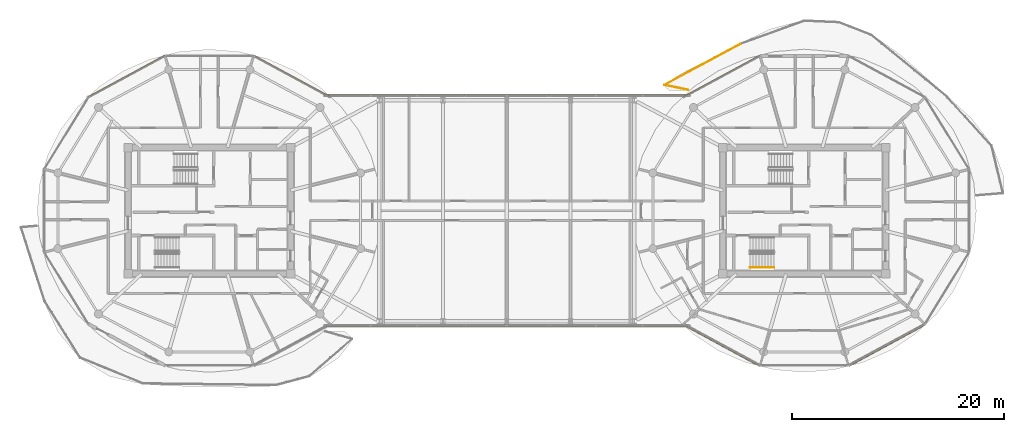
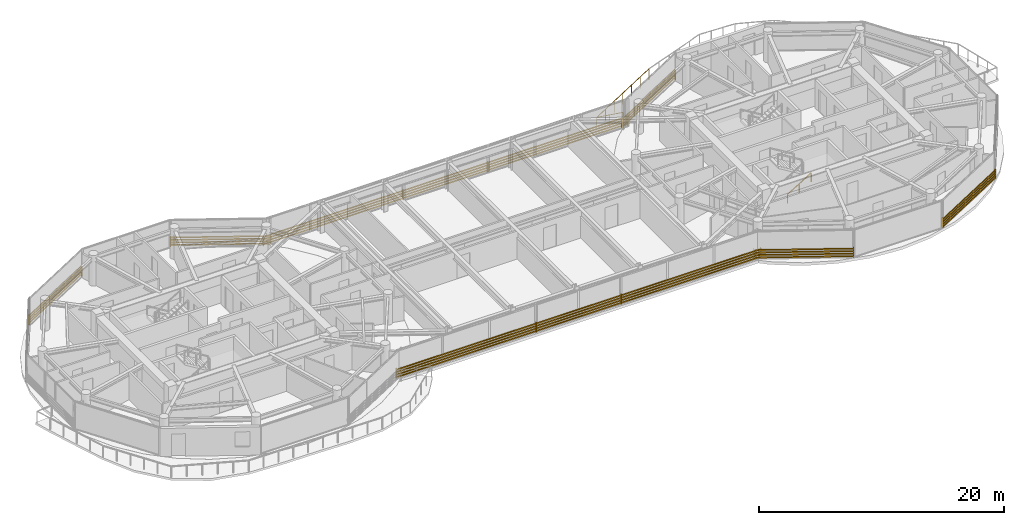
# One storey, part 22 of 23: 11 shading devices, 2 railings.
"""IFC4 building model written with IfcOpenShell, lengths in metres."""

import ifcopenshell
import ifcopenshell.guid

model = None  # the IFC model being written
_history = None  # IfcOwnerHistory: only IFC2X3 demands one
_inside = {}  # id of a spatial element -> (the spatial element, [elements in it])
_under = {}  # id of a project, library or spatial element -> (it, [spatial elements below it])
_declared = {}  # id of a project -> (the project, [libraries it declares])
_typed = {}  # id of a type object -> (the type object, [elements of that type])
_made_of = {}  # id of a material, layer set ... -> (it, [elements and type objects made of it])


def new_model(schema):
    """Start an empty IFC model of exactly this schema.

    Asked for "IFC4X3", IfcOpenShell would pick the latest addendum, in which some entities
    have other attributes; the version numbers below select the first issue.
    IFC2X3 requires an IfcOwnerHistory on every rooted entity: one is made here for all.
    """
    global model, _history
    if schema == "IFC4X3":
        model = ifcopenshell.file(schema_version=(4, 3, 0, 0))
    else:
        model = ifcopenshell.file(schema=schema)
    _inside.clear()
    _under.clear()
    _declared.clear()
    _typed.clear()
    _made_of.clear()
    _history = None
    if model.schema == "IFC2X3":
        org = make("IfcOrganization", Name="unknown")
        user = make(
            "IfcPersonAndOrganization",
            ThePerson=make("IfcPerson", FamilyName="unknown"),
            TheOrganization=org,
        )
        app = make(
            "IfcApplication",
            ApplicationDeveloper=org,
            Version="unknown",
            ApplicationFullName="unknown",
            ApplicationIdentifier="unknown",
        )
        _history = make(
            "IfcOwnerHistory",
            OwningUser=user,
            OwningApplication=app,
            ChangeAction="ADDED",
            CreationDate=0,
        )
    return model


def make(cls, **values):
    """One entity of the class cls with the attributes given. An attribute that is None is left unset."""
    return model.create_entity(
        cls, **{name: value for name, value in values.items() if value is not None}
    )


def rooted(cls, **values):
    """An entity with a GlobalId (a new one), such as an element, a storey or a relation."""
    return make(cls, GlobalId=ifcopenshell.guid.new(), OwnerHistory=_history, **values)


def si_unit(unit_type, name, prefix=None):
    """IfcSIUnit, for example si_unit("LENGTHUNIT", "METRE", prefix="MILLI")."""
    return make("IfcSIUnit", UnitType=unit_type, Prefix=prefix, Name=name)


def assignment(units):
    """IfcUnitAssignment: the units of a project."""
    return None if units is None else make("IfcUnitAssignment", Units=units)


def point(xyz):
    """IfcCartesianPoint."""
    return None if xyz is None else make("IfcCartesianPoint", Coordinates=xyz)


def direction(xyz):
    """IfcDirection."""
    return None if xyz is None else make("IfcDirection", DirectionRatios=xyz)


def frame(location, z_axis=None, x_axis=None):
    """IfcAxis2Placement3D, a coordinate frame: its origin and axes. An axis left out is left unset."""
    return make(
        "IfcAxis2Placement3D",
        Location=point(location),
        Axis=direction(z_axis),
        RefDirection=direction(x_axis),
    )


def frame_2d(location, x_axis=None):
    """IfcAxis2Placement2D, a coordinate frame in the plane: its origin and x axis."""
    return make(
        "IfcAxis2Placement2D", Location=point(location), RefDirection=direction(x_axis)
    )


def origin():
    """The frame at (0, 0, 0) with its axes left unset."""
    return frame((0.0, 0.0, 0.0))


def origin_2d():
    """The frame at (0, 0) in the plane with its x axis left unset."""
    return frame_2d((0.0, 0.0))


def place(relative_to, where):
    """IfcLocalPlacement: puts the frame where relative to a parent placement (None: the world)."""
    return make(
        "IfcLocalPlacement", PlacementRelTo=relative_to, RelativePlacement=where
    )


def context(
    kind, dimensions, precision=None, world=None, true_north=None, identifier=None
):
    """IfcGeometricRepresentationContext, for example the 3D "Model" context."""
    return make(
        "IfcGeometricRepresentationContext",
        ContextIdentifier=identifier,
        ContextType=kind,
        CoordinateSpaceDimension=dimensions,
        Precision=precision,
        WorldCoordinateSystem=world,
        TrueNorth=true_north,
    )


def subcontext(parent, identifier, kind, view, scale=None):
    """IfcGeometricRepresentationSubContext, for example "Body" below "Model"."""
    return make(
        "IfcGeometricRepresentationSubContext",
        ContextIdentifier=identifier,
        ContextType=kind,
        ParentContext=parent,
        TargetScale=scale,
        TargetView=view,
    )


def project(units=None, contexts=None):
    """IfcProject with its units and contexts."""
    return rooted(
        "IfcProject",
        Name="project",
        RepresentationContexts=contexts,
        UnitsInContext=assignment(units),
    )


def spatial(cls, under=None, at=None, **own):
    """A site, building, storey or space (cls), placed at a placement, below another one or the project."""
    s = rooted(cls, ObjectPlacement=at, **own)
    if under is not None:
        _under.setdefault(under.id(), (under, []))[1].append(s)
    return s


def profile(cls, at=None, kind="AREA", **sizes):
    """A parametric profile (cls). Its sizes go by their IFC names, for example OverallWidth=200.0."""
    return make(cls, ProfileType=kind, Position=at, **sizes)


def rectangle(**sizes):
    """IfcRectangleProfileDef."""
    return profile("IfcRectangleProfileDef", **sizes)


def extrude(swept, where, along, depth):
    """IfcExtrudedAreaSolid: the profile swept, set in the frame where, extruded along a direction by depth."""
    return make(
        "IfcExtrudedAreaSolid",
        SweptArea=swept,
        Position=where,
        ExtrudedDirection=direction(along),
        Depth=depth,
    )


def shape(context_of_items, identifier, shape_type, items):
    """IfcShapeRepresentation: the items that make up one representation, for example the "Body"."""
    return make(
        "IfcShapeRepresentation",
        ContextOfItems=context_of_items,
        RepresentationIdentifier=identifier,
        RepresentationType=shape_type,
        Items=items,
    )


def source(mapping_origin, context_of_items, identifier, shape_type, items):
    """IfcRepresentationMap: a shape defined once, which mapped items show again and again."""
    return make(
        "IfcRepresentationMap",
        MappingOrigin=mapping_origin,
        MappedRepresentation=shape(context_of_items, identifier, shape_type, items),
    )


def transform(
    local_origin,
    x_axis=None,
    y_axis=None,
    z_axis=None,
    scale=None,
    scale2=None,
    scale3=None,
    uniform=True,
):
    """IfcCartesianTransformationOperator3D, or its non-uniform kind. x_axis, y_axis, z_axis: its Axis1, 2, 3."""
    if uniform:
        return make(
            "IfcCartesianTransformationOperator3D",
            Axis1=direction(x_axis),
            Axis2=direction(y_axis),
            LocalOrigin=point(local_origin),
            Scale=scale,
            Axis3=direction(z_axis),
        )
    return make(
        "IfcCartesianTransformationOperator3DnonUniform",
        Axis1=direction(x_axis),
        Axis2=direction(y_axis),
        LocalOrigin=point(local_origin),
        Scale=scale,
        Axis3=direction(z_axis),
        Scale2=scale2,
        Scale3=scale3,
    )


def mapped(mapping_source, mapping_target):
    """IfcMappedItem: shows the shape of a source again, moved by a transform."""
    return make(
        "IfcMappedItem", MappingSource=mapping_source, MappingTarget=mapping_target
    )


def material(Name=None, Category=None):
    """IfcMaterial."""
    return make("IfcMaterial", Name=Name, Category=Category)


def made_of(thing, what):
    """Note that an element or type object is made of a material, layer set ...; save() writes the relation."""
    if what is not None:
        _made_of.setdefault(what.id(), (what, []))[1].append(thing)
    return thing


def type_object(cls, material=None, **own):
    """A type object (cls), such as IfcWallType, which elements share."""
    return made_of(rooted(cls, **own), material)


def type_shapes(of_type, sources):
    """Give a type object the sources (RepresentationMaps) that its elements show as mapped items."""
    of_type.RepresentationMaps = sources


def element(
    cls,
    number,
    at=None,
    inside=None,
    cuts=None,
    type_object=None,
    material=None,
    context=None,
    identifier="Body",
    shape_type=None,
    held_by="IfcProductDefinitionShape",
    body=None,
    shapes=None,
    **own,
):
    """One element of the class cls, such as IfcWall. Its Tag is "e" and its number.

    at: its placement. inside: the storey or other place that contains it. cuts: it is an
    opening in that element (IfcRelVoidsElement). A single representation is given by context,
    identifier, shape_type and body (its items); several are given by shapes. held_by: the class
    of the entity that holds the representations. save() writes the other relations.
    """
    e = rooted(cls, Tag="e%d" % number, ObjectPlacement=at, **own)
    if body is not None:
        shapes = [shape(context, identifier, shape_type, body)]
    if shapes is not None:
        e.Representation = make(held_by, Representations=shapes)
    if inside is not None:
        _inside.setdefault(inside.id(), (inside, []))[1].append(e)
    if cuts is not None:
        rooted(
            "IfcRelVoidsElement", RelatingBuildingElement=cuts, RelatedOpeningElement=e
        )
    if type_object is not None:
        _typed.setdefault(type_object.id(), (type_object, []))[1].append(e)
    return made_of(e, material)


def aggregate(whole, parts):
    """IfcRelAggregates: a whole, such as a stair, and the parts it consists of."""
    return rooted("IfcRelAggregates", RelatingObject=whole, RelatedObjects=parts)


def save(model, path):
    """Write the relations noted so far, then the file.

    IfcRelAggregates (storeys below a building ...), IfcRelContainedInSpatialStructure (elements
    in a storey), IfcRelDefinesByType, IfcRelAssociatesMaterial and IfcRelDeclares: one each for
    every whole, place, type object, material and project.
    """
    for whole, parts in _under.values():
        aggregate(whole, parts)
    for where, things in _inside.values():
        rooted(
            "IfcRelContainedInSpatialStructure",
            RelatedElements=things,
            RelatingStructure=where,
        )
    for kind, things in _typed.values():
        rooted("IfcRelDefinesByType", RelatedObjects=things, RelatingType=kind)
    for what, things in _made_of.values():
        rooted("IfcRelAssociatesMaterial", RelatedObjects=things, RelatingMaterial=what)
    for by, libraries in _declared.values():
        rooted("IfcRelDeclares", RelatingContext=by, RelatedDefinitions=libraries)
    model.write(path)


model = new_model("IFC4")

# Units and contexts
model_context = context("Model", 3, precision=1e-05, world=origin(), true_north=direction((0.0, 1.0)))
body_context = subcontext(model_context, "Body", "Model", "MODEL_VIEW")
ifc_project = project(units=[si_unit("LENGTHUNIT", "METRE"), si_unit("AREAUNIT", "SQUARE_METRE"), si_unit("VOLUMEUNIT", "CUBIC_METRE"), si_unit("PLANEANGLEUNIT", "RADIAN"), si_unit("MASSUNIT", "GRAM", prefix="KILO")], contexts=[model_context])

# Site, building, storey
site_placement = place(None, origin())
site = spatial("IfcSite", under=ifc_project, at=site_placement, CompositionType="ELEMENT")
building_placement = place(site_placement, origin())
building = spatial("IfcBuilding", under=site, at=building_placement, Name="Norrkilde Senior Care Towers", CompositionType="ELEMENT")
storey_placement = place(building_placement, frame((0.0, 0.0, 229.14990234375)))
storey = spatial("IfcBuildingStorey", under=building, at=storey_placement, Name="L71", CompositionType="ELEMENT", Elevation=229.14990234375)

# Railings
ifc_material_1 = material(Name="Anodised Aluminium", Category="aluminium")
railing_type_1 = type_object("IfcRailingType", Name="Balcony Swirl Ribbon Guardrail 1150", PredefinedType="GUARDRAIL", material=ifc_material_1)
railing_1_placement = place(storey_placement, frame((17.04248046875, 11.3798828125, 0.0)))
element("IfcRailing", 1, at=railing_1_placement, inside=storey, type_object=railing_type_1, Name="L71 Perimeter Safety Guard 02", PredefinedType="GUARDRAIL", context=body_context, shape_type="SweptSolid", body=[
    extrude(rectangle(XDim=0.048095703125, YDim=0.048095703125, at=origin_2d()), frame((0.0, 0.0, 1.1259765625), z_axis=(-0.979455159804, 0.201662068652, 0.0), x_axis=(-0.201662068652, -0.979455159804, 0.0)), (0.0, 0.0, 1.0), 2.21826171875),
    extrude(rectangle(XDim=0.048095703125, YDim=0.048095703125, at=origin_2d()), frame((-2.1767578125, 0.474853515625, 1.1259765625), z_axis=(0.880210703805, 0.474583098, 0.0), x_axis=(-0.474583098, 0.880210703805, 0.0)), (0.0, 0.0, 1.0), 8.091796875),
    extrude(rectangle(XDim=0.0419921875, YDim=0.0419921875, at=origin_2d()), origin(), (0.0, 0.0, 1.0), 1.099853515625),
    extrude(rectangle(XDim=0.0419921875, YDim=0.0419921875, at=origin_2d()), frame((-1.1064453125, 0.227783203125, 0.0)), (0.0, 0.0, 1.0), 1.099853515625),
    extrude(rectangle(XDim=0.0419921875, YDim=0.0419921875, at=origin_2d()), frame((-2.212646484375, 0.45556640625, 0.0)), (0.0, 0.0, 1.0), 1.099853515625),
    extrude(rectangle(XDim=0.0419921875, YDim=0.0419921875, at=origin_2d()), frame((-1.01953125, 1.098876953125, 0.0)), (0.0, 0.0, 1.0), 1.099853515625),
    extrude(rectangle(XDim=0.0419921875, YDim=0.0419921875, at=origin_2d()), frame((0.173583984375, 1.7421875, 0.0)), (0.0, 0.0, 1.0), 1.099853515625),
    extrude(rectangle(XDim=0.0419921875, YDim=0.0419921875, at=origin_2d()), frame((1.36669921875, 2.38525390625, 0.0)), (0.0, 0.0, 1.0), 1.099853515625),
    extrude(rectangle(XDim=0.0419921875, YDim=0.0419921875, at=origin_2d()), frame((2.5595703125, 3.028564453125, 0.0)), (0.0, 0.0, 1.0), 1.099853515625),
    extrude(rectangle(XDim=0.0419921875, YDim=0.0419921875, at=origin_2d()), frame((3.752685546875, 3.671875, 0.0)), (0.0, 0.0, 1.0), 1.099853515625),
    extrude(rectangle(XDim=0.0419921875, YDim=0.0419921875, at=origin_2d()), frame((4.94580078125, 4.315185546875, 0.0)), (0.0, 0.0, 1.0), 1.099853515625),
])
ifc_material_2 = material(Name="Nordic Ash Timber", Category="wood")
railing_type_2 = type_object("IfcRailingType", Name="Wall and Stair Handrail 900", PredefinedType="HANDRAIL", material=ifc_material_2)
railing_2_placement = place(storey_placement, frame((22.89990234375, -5.35009765625, 0.16943359375)))
element("IfcRailing", 2, at=railing_2_placement, inside=storey, type_object=railing_type_2, Name="L71 ST-E2 stair handrail 1", PredefinedType="HANDRAIL", context=body_context, shape_type="SweptSolid", body=[
    extrude(rectangle(XDim=0.048095703125, YDim=0.048095703125, at=origin_2d()), frame((0.0, 0.0, 0.8759765625), z_axis=(0.855512035549, 0.0, 0.517782924622), x_axis=(0.0, 1.0, 0.0)), (0.0, 0.0, 1.0), 2.618408203125),
    extrude(rectangle(XDim=0.0419921875, YDim=0.0419921875, at=origin_2d()), origin(), (0.0, 0.0, 1.0), 0.849853515625),
    extrude(rectangle(XDim=0.0419921875, YDim=0.0419921875, at=origin_2d()), frame((1.1201171875, 0.0, 0.677734375)), (0.0, 0.0, 1.0), 0.849853515625),
    extrude(rectangle(XDim=0.0419921875, YDim=0.0419921875, at=origin_2d()), frame((2.239990234375, 0.0, 1.355712890625)), (0.0, 0.0, 1.0), 0.849853515625),
])

# Shading devices
ifc_material_3 = material(Name="Architectural Terracotta", Category="masonry")
shading_device_type = type_object("IfcShadingDeviceType", Name="Horizontal Terracotta Baguette Rack", PredefinedType="USERDEFINED", material=ifc_material_3)
shared_shape_1 = source(origin(), body_context, "Body", "SweptSolid", [
    extrude(rectangle(XDim=0.070068359375, YDim=0.110107421875, at=origin_2d()), frame((0.0, 0.090087890625, 0.125), z_axis=(1.0, 0.0, 0.0), x_axis=(0.0, 1.0, 0.0)), (0.0, 0.0, 1.0), 8.197265625),
    extrude(rectangle(XDim=0.070068359375, YDim=0.110107421875, at=origin_2d()), frame((0.0, 0.090087890625, 0.375), z_axis=(1.0, 0.0, 0.0), x_axis=(0.0, 1.0, 0.0)), (0.0, 0.0, 1.0), 8.197265625),
    extrude(rectangle(XDim=0.070068359375, YDim=0.110107421875, at=origin_2d()), frame((0.0, 0.090087890625, 0.625), z_axis=(1.0, 0.0, 0.0), x_axis=(0.0, 1.0, 0.0)), (0.0, 0.0, 1.0), 8.197265625),
    extrude(rectangle(XDim=0.070068359375, YDim=0.110107421875, at=origin_2d()), frame((0.0, 0.090087890625, 0.875), z_axis=(1.0, 0.0, 0.0), x_axis=(0.0, 1.0, 0.0)), (0.0, 0.0, 1.0), 8.197265625),
    extrude(rectangle(XDim=0.050048828125, YDim=0.1552734375, at=origin_2d()), frame((0.02490234375, 0.047607421875, 0.0)), (0.0, 0.0, 1.0), 1.0),
    extrude(rectangle(XDim=0.050048828125, YDim=0.1552734375, at=origin_2d()), frame((8.17236328125, 0.047607421875, 0.0)), (0.0, 0.0, 1.0), 1.0),
])
for number, where, z_axis, x_axis, name in (
    (3, (-23.838134765625, 14.566162109375, 0.080078125), (0.0, 0.0, 1.0), (0.879378127234, -0.476143674053, 0.0), "L71 Drum W Terracotta Baguette Screen 01"),
    (4, (-39.370361328125, 10.6630859375, 0.080078125), (0.0, 0.0, 1.0), (0.879378127234, 0.476143674053, 0.0), "L71 Drum W Terracotta Baguette Screen 03"),
    (5, (16.629638671875, 10.6630859375, 0.080078125), (0.0, 0.0, 1.0), (0.879378127234, 0.476143674053, 0.0), "L71 Drum E Terracotta Baguette Screen 03"),
    (6, (23.838134765625, -14.566162109375, 0.080078125), (0.0, 0.0, 1.0), (-0.879378127234, 0.476143674053, 0.0), "L71 Drum E Terracotta Baguette Screen 07"),
    (7, (39.370361328125, -10.6630859375, 0.080078125), (0.0, 0.0, 1.0), (-0.879378127234, -0.476143674053, 0.0), "L71 Drum E Terracotta Baguette Screen 09"),
):
    element("IfcShadingDevice", number, at=place(storey_placement, frame(where, z_axis=z_axis, x_axis=x_axis)), inside=storey, type_object=shading_device_type, Name=name, ObjectType="BAGUETTE", PredefinedType="USERDEFINED", context=body_context, shape_type="MappedRepresentation", body=[
        mapped(shared_shape_1, transform((0.0, 0.0, 0.0), x_axis=(1.0, 0.0, 0.0), y_axis=(0.0, 1.0, 0.0), z_axis=(0.0, 0.0, 1.0), scale=1.0)),
    ])
shared_shape_2 = source(origin(), body_context, "Body", "SweptSolid", [
    extrude(rectangle(XDim=0.070068359375, YDim=0.110107421875, at=origin_2d()), frame((0.0, 0.090087890625, 0.125), z_axis=(1.0, 0.0, 0.0), x_axis=(0.0, 1.0, 0.0)), (0.0, 0.0, 1.0), 13.199951171875),
    extrude(rectangle(XDim=0.070068359375, YDim=0.110107421875, at=origin_2d()), frame((0.0, 0.090087890625, 0.375), z_axis=(1.0, 0.0, 0.0), x_axis=(0.0, 1.0, 0.0)), (0.0, 0.0, 1.0), 13.199951171875),
    extrude(rectangle(XDim=0.070068359375, YDim=0.110107421875, at=origin_2d()), frame((0.0, 0.090087890625, 0.625), z_axis=(1.0, 0.0, 0.0), x_axis=(0.0, 1.0, 0.0)), (0.0, 0.0, 1.0), 13.199951171875),
    extrude(rectangle(XDim=0.070068359375, YDim=0.110107421875, at=origin_2d()), frame((0.0, 0.090087890625, 0.875), z_axis=(1.0, 0.0, 0.0), x_axis=(0.0, 1.0, 0.0)), (0.0, 0.0, 1.0), 13.199951171875),
    extrude(rectangle(XDim=0.050048828125, YDim=0.1552734375, at=origin_2d()), frame((0.02490234375, 0.047607421875, 0.0)), (0.0, 0.0, 1.0), 1.0),
    extrude(rectangle(XDim=0.050048828125, YDim=0.1552734375, at=origin_2d()), frame((13.1748046875, 0.047607421875, 0.0)), (0.0, 0.0, 1.0), 1.0),
])
for number, where, z_axis, x_axis, name in (
    (8, (-17.199951171875, 10.820068359375, 0.080078125), (0.0, 0.0, 1.0), (1.0, 0.0, 0.0), "L71 Bridge North Baguette Screen 1"),
    (9, (4.0, 10.820068359375, 0.080078125), (0.0, 0.0, 1.0), (1.0, 0.0, 0.0), "L71 Bridge North Baguette Screen 3"),
    (10, (17.199951171875, -10.820068359375, 0.080078125), (0.0, 0.0, 1.0), (-1.0, 0.0, 0.0), "L71 Bridge South Baguette Screen 1"),
    (11, (-4.0, -10.820068359375, 0.080078125), (0.0, 0.0, 1.0), (-1.0, 0.0, 0.0), "L71 Bridge South Baguette Screen 3"),
):
    element("IfcShadingDevice", number, at=place(storey_placement, frame(where, z_axis=z_axis, x_axis=x_axis)), inside=storey, type_object=shading_device_type, Name=name, ObjectType="BAGUETTE", PredefinedType="USERDEFINED", context=body_context, shape_type="MappedRepresentation", body=[
        mapped(shared_shape_2, transform((0.0, 0.0, 0.0), x_axis=(1.0, 0.0, 0.0), y_axis=(0.0, 1.0, 0.0), z_axis=(0.0, 0.0, 1.0), scale=1.0)),
    ])
shared_shape_3 = source(origin(), body_context, "Body", "SweptSolid", [
    extrude(rectangle(XDim=0.070068359375, YDim=0.110107421875, at=origin_2d()), frame((0.0, 0.090087890625, 0.125), z_axis=(1.0, 0.0, 0.0), x_axis=(0.0, 1.0, 0.0)), (0.0, 0.0, 1.0), 8.0),
    extrude(rectangle(XDim=0.070068359375, YDim=0.110107421875, at=origin_2d()), frame((0.0, 0.090087890625, 0.375), z_axis=(1.0, 0.0, 0.0), x_axis=(0.0, 1.0, 0.0)), (0.0, 0.0, 1.0), 8.0),
    extrude(rectangle(XDim=0.070068359375, YDim=0.110107421875, at=origin_2d()), frame((0.0, 0.090087890625, 0.625), z_axis=(1.0, 0.0, 0.0), x_axis=(0.0, 1.0, 0.0)), (0.0, 0.0, 1.0), 8.0),
    extrude(rectangle(XDim=0.070068359375, YDim=0.110107421875, at=origin_2d()), frame((0.0, 0.090087890625, 0.875), z_axis=(1.0, 0.0, 0.0), x_axis=(0.0, 1.0, 0.0)), (0.0, 0.0, 1.0), 8.0),
    extrude(rectangle(XDim=0.050048828125, YDim=0.1552734375, at=origin_2d()), frame((0.02490234375, 0.047607421875, 0.0)), (0.0, 0.0, 1.0), 1.0),
    extrude(rectangle(XDim=0.050048828125, YDim=0.1552734375, at=origin_2d()), frame((7.97509765625, 0.047607421875, 0.0)), (0.0, 0.0, 1.0), 1.0),
])
type_shapes(shading_device_type, [shared_shape_1, shared_shape_2, shared_shape_3])
for number, where, z_axis, x_axis, name in (
    (12, (-4.0, 10.820068359375, 0.080078125), (0.0, 0.0, 1.0), (1.0, 0.0, 0.0), "L71 Bridge North Baguette Screen 2"),
    (13, (4.0, -10.820068359375, 0.080078125), (0.0, 0.0, 1.0), (-1.0, 0.0, 0.0), "L71 Bridge South Baguette Screen 2"),
):
    element("IfcShadingDevice", number, at=place(storey_placement, frame(where, z_axis=z_axis, x_axis=x_axis)), inside=storey, type_object=shading_device_type, Name=name, ObjectType="BAGUETTE", PredefinedType="USERDEFINED", context=body_context, shape_type="MappedRepresentation", body=[
        mapped(shared_shape_3, transform((0.0, 0.0, 0.0), x_axis=(1.0, 0.0, 0.0), y_axis=(0.0, 1.0, 0.0), z_axis=(0.0, 0.0, 1.0), scale=1.0)),
    ])

save(model, "model.ifc")
